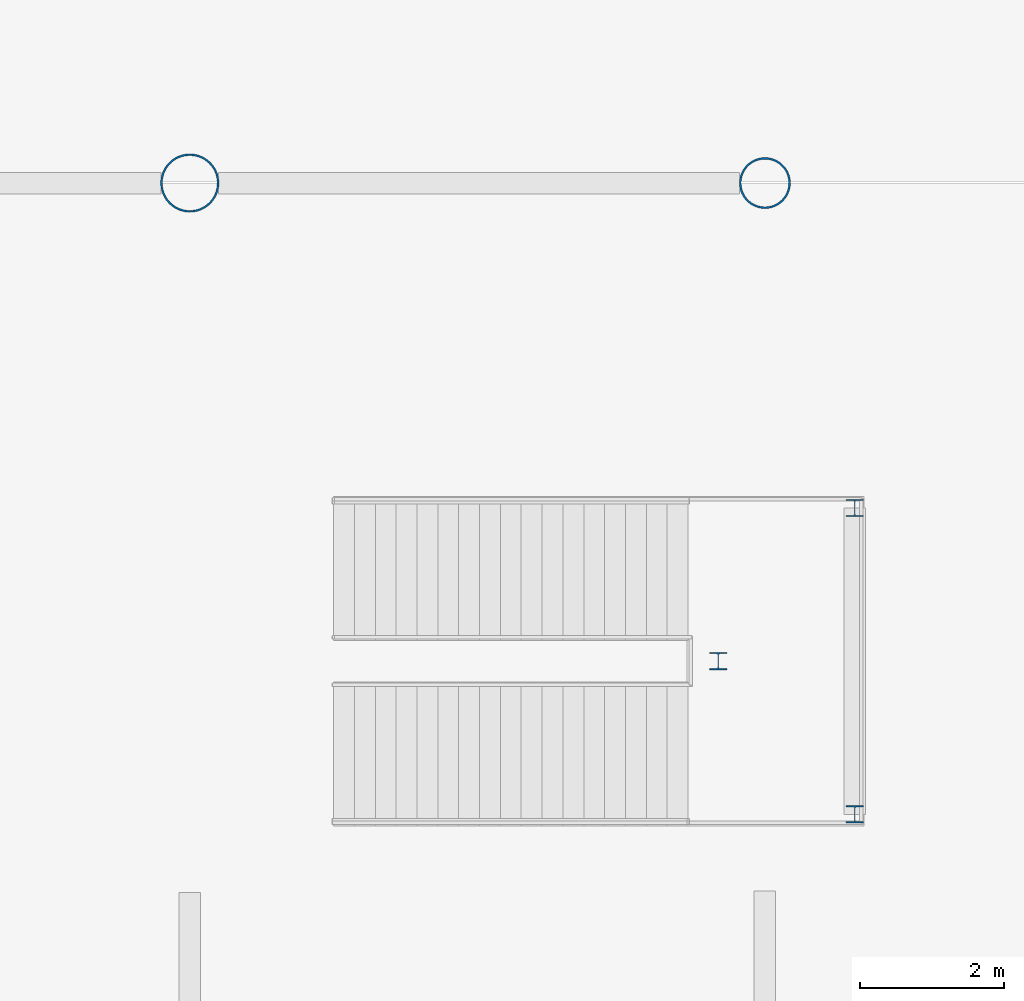
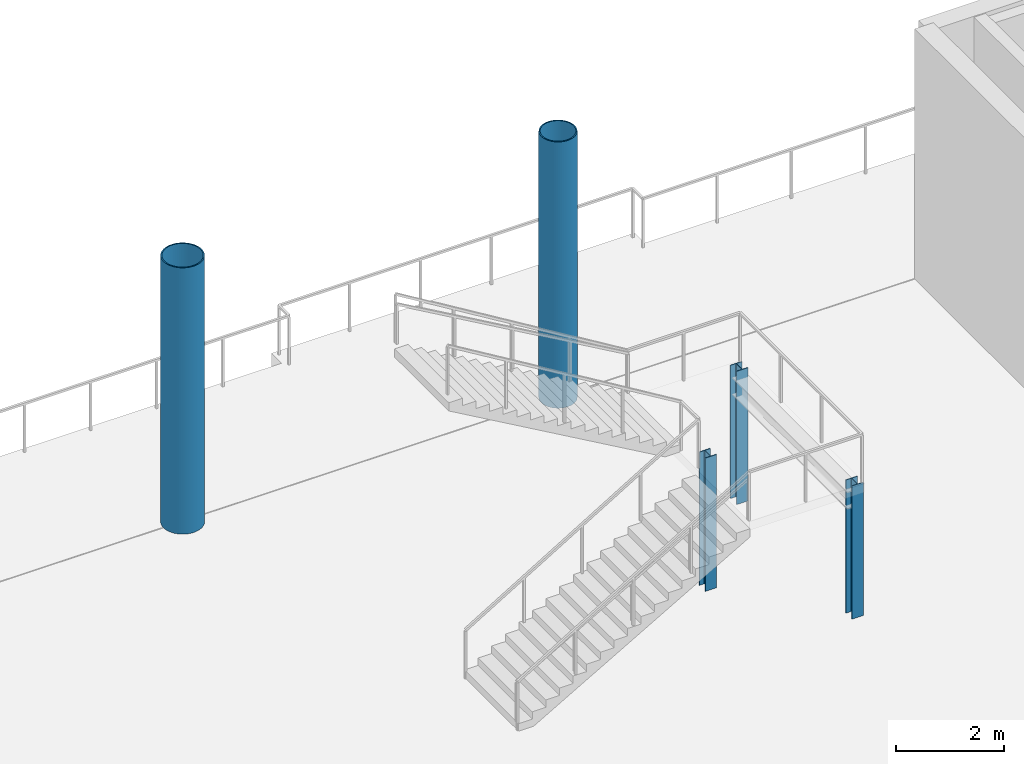
# One storey, part 26 of 163: 5 columns.
"""IFC4 building model written with IfcOpenShell, lengths in metres."""

from ifc_helpers import new_model, si_unit, direction, frame, origin, origin_2d, place, context, subcontext, project, spatial, hollow_circle, i_section, extrude, material, material_profile, profile_set, type_object, element, save


model = new_model("IFC4")

# Units and contexts
model_context = context("Model", 3, precision=1e-05, world=origin(), true_north=direction((0.0, 1.0)))
body_context = subcontext(model_context, "Body", "Model", "MODEL_VIEW")
ifc_project = project(units=[si_unit("LENGTHUNIT", "METRE"), si_unit("AREAUNIT", "SQUARE_METRE"), si_unit("VOLUMEUNIT", "CUBIC_METRE"), si_unit("PLANEANGLEUNIT", "RADIAN"), si_unit("MASSUNIT", "GRAM", prefix="KILO")], contexts=[model_context])

# Site, building, storey
site_placement = place(None, origin())
site = spatial("IfcSite", under=ifc_project, at=site_placement, CompositionType="ELEMENT")
building_placement = place(site_placement, origin())
building = spatial("IfcBuilding", under=site, at=building_placement, Name="Khorjan Park Terminus", CompositionType="ELEMENT")
storey_placement = place(building_placement, origin())
storey = spatial("IfcBuildingStorey", under=building, at=storey_placement, Name="L00", CompositionType="ELEMENT", Elevation=0.0)

# Columns
ifc_material = material(Name="Steel S355", Category="steel")
ifc_material_profile_1 = material_profile(ifc_material, i_section(OverallWidth=0.24, OverallDepth=0.24, WebThickness=0.01, FlangeThickness=0.017, FilletRadius=0.021, at=origin_2d()), Name="HEB 240")
ifc_profile_set_1 = profile_set([ifc_material_profile_1], Name="Steel S355")
column_type_1 = type_object("IfcColumnType", Name="COL-HB240", PredefinedType="COLUMN", material=ifc_profile_set_1)
for number, where, z_axis, x_axis, name in (
    (1, (113.25, 145.22, 0.0), (0.0, 0.0, 1.0), (1.0, 0.0, 0.0), "Structural column SC-H24 (L00 #1021)"),
    (2, (113.25, 149.48, 0.0), (0.0, 0.0, 1.0), (1.0, 0.0, 0.0), "Structural column SC-H24 (L00 #1023)"),
    (3, (111.35, 147.35, 0.0), (0.0, 0.0, 1.0), (1.0, 0.0, 0.0), "Structural column SC-H24 (L00 #1025)"),
):
    element("IfcColumn", number, at=place(storey_placement, frame(where, z_axis=z_axis, x_axis=x_axis)), inside=storey, type_object=column_type_1, Name=name, PredefinedType="COLUMN", context=body_context, shape_type="SweptSolid", body=[
        extrude(i_section(OverallWidth=0.24, OverallDepth=0.24, WebThickness=0.01, FlangeThickness=0.017, FilletRadius=0.021, at=origin_2d()), origin(), (0.0, 0.0, 1.0), 3.0),
    ])
ifc_material_profile_2 = material_profile(ifc_material, hollow_circle(Radius=0.3555, WallThickness=0.025, at=origin_2d()), Name="CHS 711x25")
ifc_profile_set_2 = profile_set([ifc_material_profile_2], Name="Steel S355")
column_type_2 = type_object("IfcColumnType", Name="COL-SH711E", PredefinedType="COLUMN", material=ifc_profile_set_2)
column_1_placement = place(storey_placement, frame((112.0, 154.0, 0.0), z_axis=(0.0, 0.0, 1.0), x_axis=(1.0, 0.0, 0.0)))
element("IfcColumn", 4, at=column_1_placement, inside=storey, type_object=column_type_2, Name="Structural column SC-71 (L00 #167)", PredefinedType="COLUMN", context=body_context, shape_type="SweptSolid", body=[
    extrude(hollow_circle(Radius=0.3555, WallThickness=0.025, at=origin_2d()), origin(), (0.0, 0.0, 1.0), 6.0),
])
ifc_material_profile_3 = material_profile(ifc_material, hollow_circle(Radius=0.4065, WallThickness=0.025, at=origin_2d()), Name="CHS 813x25")
ifc_profile_set_3 = profile_set([ifc_material_profile_3], Name="Steel S355")
column_type_3 = type_object("IfcColumnType", Name="COL-SH813E", PredefinedType="COLUMN", material=ifc_profile_set_3)
column_2_placement = place(storey_placement, frame((104.0, 154.0, 0.0), z_axis=(0.0, 0.0, 1.0), x_axis=(1.0, 0.0, 0.0)))
element("IfcColumn", 5, at=column_2_placement, inside=storey, type_object=column_type_3, Name="Structural column SC-81 (L00 #153)", PredefinedType="COLUMN", context=body_context, shape_type="SweptSolid", body=[
    extrude(hollow_circle(Radius=0.4065, WallThickness=0.025, at=origin_2d()), origin(), (0.0, 0.0, 1.0), 6.0),
])

save(model, "model.ifc")
